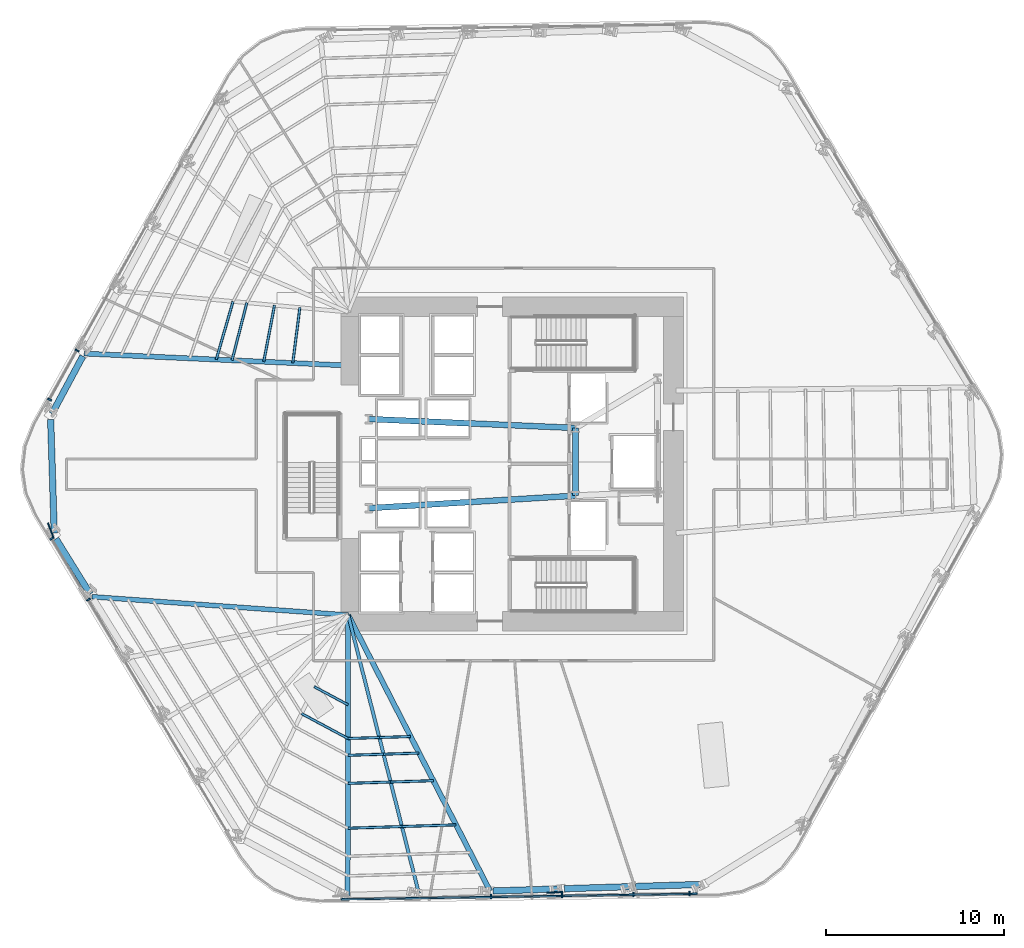
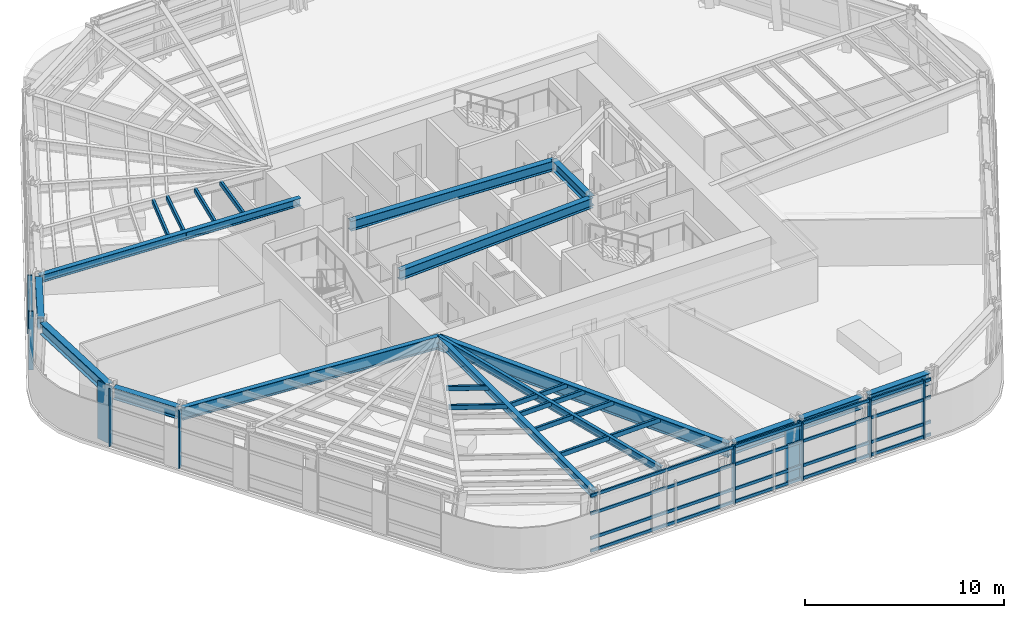
# One storey, part 3 of 15: 28 members, 14 beams, 3 elements without a shape of their own.
"""IFC4 building model written with IfcOpenShell, lengths in metres."""

import ifcopenshell
import ifcopenshell.guid

model = None  # the IFC model being written
_history = None  # IfcOwnerHistory: only IFC2X3 demands one
_inside = {}  # id of a spatial element -> (the spatial element, [elements in it])
_under = {}  # id of a project, library or spatial element -> (it, [spatial elements below it])
_declared = {}  # id of a project -> (the project, [libraries it declares])
_typed = {}  # id of a type object -> (the type object, [elements of that type])
_made_of = {}  # id of a material, layer set ... -> (it, [elements and type objects made of it])


def new_model(schema):
    """Start an empty IFC model of exactly this schema.

    Asked for "IFC4X3", IfcOpenShell would pick the latest addendum, in which some entities
    have other attributes; the version numbers below select the first issue.
    IFC2X3 requires an IfcOwnerHistory on every rooted entity: one is made here for all.
    """
    global model, _history
    if schema == "IFC4X3":
        model = ifcopenshell.file(schema_version=(4, 3, 0, 0))
    else:
        model = ifcopenshell.file(schema=schema)
    _inside.clear()
    _under.clear()
    _declared.clear()
    _typed.clear()
    _made_of.clear()
    _history = None
    if model.schema == "IFC2X3":
        org = make("IfcOrganization", Name="unknown")
        user = make(
            "IfcPersonAndOrganization",
            ThePerson=make("IfcPerson", FamilyName="unknown"),
            TheOrganization=org,
        )
        app = make(
            "IfcApplication",
            ApplicationDeveloper=org,
            Version="unknown",
            ApplicationFullName="unknown",
            ApplicationIdentifier="unknown",
        )
        _history = make(
            "IfcOwnerHistory",
            OwningUser=user,
            OwningApplication=app,
            ChangeAction="ADDED",
            CreationDate=0,
        )
    return model


def make(cls, **values):
    """One entity of the class cls with the attributes given. An attribute that is None is left unset."""
    return model.create_entity(
        cls, **{name: value for name, value in values.items() if value is not None}
    )


def rooted(cls, **values):
    """An entity with a GlobalId (a new one), such as an element, a storey or a relation."""
    return make(cls, GlobalId=ifcopenshell.guid.new(), OwnerHistory=_history, **values)


def si_unit(unit_type, name, prefix=None):
    """IfcSIUnit, for example si_unit("LENGTHUNIT", "METRE", prefix="MILLI")."""
    return make("IfcSIUnit", UnitType=unit_type, Prefix=prefix, Name=name)


def assignment(units):
    """IfcUnitAssignment: the units of a project."""
    return None if units is None else make("IfcUnitAssignment", Units=units)


def point(xyz):
    """IfcCartesianPoint."""
    return None if xyz is None else make("IfcCartesianPoint", Coordinates=xyz)


def direction(xyz):
    """IfcDirection."""
    return None if xyz is None else make("IfcDirection", DirectionRatios=xyz)


def frame(location, z_axis=None, x_axis=None):
    """IfcAxis2Placement3D, a coordinate frame: its origin and axes. An axis left out is left unset."""
    return make(
        "IfcAxis2Placement3D",
        Location=point(location),
        Axis=direction(z_axis),
        RefDirection=direction(x_axis),
    )


def frame_2d(location, x_axis=None):
    """IfcAxis2Placement2D, a coordinate frame in the plane: its origin and x axis."""
    return make(
        "IfcAxis2Placement2D", Location=point(location), RefDirection=direction(x_axis)
    )


def origin():
    """The frame at (0, 0, 0) with its axes left unset."""
    return frame((0.0, 0.0, 0.0))


def origin_2d():
    """The frame at (0, 0) in the plane with its x axis left unset."""
    return frame_2d((0.0, 0.0))


def place(relative_to, where):
    """IfcLocalPlacement: puts the frame where relative to a parent placement (None: the world)."""
    return make(
        "IfcLocalPlacement", PlacementRelTo=relative_to, RelativePlacement=where
    )


def context(
    kind, dimensions, precision=None, world=None, true_north=None, identifier=None
):
    """IfcGeometricRepresentationContext, for example the 3D "Model" context."""
    return make(
        "IfcGeometricRepresentationContext",
        ContextIdentifier=identifier,
        ContextType=kind,
        CoordinateSpaceDimension=dimensions,
        Precision=precision,
        WorldCoordinateSystem=world,
        TrueNorth=true_north,
    )


def subcontext(parent, identifier, kind, view, scale=None):
    """IfcGeometricRepresentationSubContext, for example "Body" below "Model"."""
    return make(
        "IfcGeometricRepresentationSubContext",
        ContextIdentifier=identifier,
        ContextType=kind,
        ParentContext=parent,
        TargetScale=scale,
        TargetView=view,
    )


def project(units=None, contexts=None):
    """IfcProject with its units and contexts."""
    return rooted(
        "IfcProject",
        Name="project",
        RepresentationContexts=contexts,
        UnitsInContext=assignment(units),
    )


def spatial(cls, under=None, at=None, **own):
    """A site, building, storey or space (cls), placed at a placement, below another one or the project."""
    s = rooted(cls, ObjectPlacement=at, **own)
    if under is not None:
        _under.setdefault(under.id(), (under, []))[1].append(s)
    return s


def profile(cls, at=None, kind="AREA", **sizes):
    """A parametric profile (cls). Its sizes go by their IFC names, for example OverallWidth=200.0."""
    return make(cls, ProfileType=kind, Position=at, **sizes)


def rectangle(**sizes):
    """IfcRectangleProfileDef."""
    return profile("IfcRectangleProfileDef", **sizes)


def hollow_rectangle(**sizes):
    """IfcRectangleHollowProfileDef."""
    return profile("IfcRectangleHollowProfileDef", **sizes)


def i_section(**sizes):
    """IfcIShapeProfileDef."""
    return profile("IfcIShapeProfileDef", **sizes)


def extrude(swept, where, along, depth):
    """IfcExtrudedAreaSolid: the profile swept, set in the frame where, extruded along a direction by depth."""
    return make(
        "IfcExtrudedAreaSolid",
        SweptArea=swept,
        Position=where,
        ExtrudedDirection=direction(along),
        Depth=depth,
    )


def shape(context_of_items, identifier, shape_type, items):
    """IfcShapeRepresentation: the items that make up one representation, for example the "Body"."""
    return make(
        "IfcShapeRepresentation",
        ContextOfItems=context_of_items,
        RepresentationIdentifier=identifier,
        RepresentationType=shape_type,
        Items=items,
    )


def material(Name=None, Category=None):
    """IfcMaterial."""
    return make("IfcMaterial", Name=Name, Category=Category)


def layer(
    of_material, thickness, ventilated=None, Name=None, Category=None, Priority=None
):
    """IfcMaterialLayer: one layer of a wall or slab, of a material (None: an air gap)."""
    return make(
        "IfcMaterialLayer",
        Material=of_material,
        LayerThickness=thickness,
        IsVentilated=ventilated,
        Name=Name,
        Category=Category,
        Priority=Priority,
    )


def layer_set(layers, Name=None):
    """IfcMaterialLayerSet."""
    return make("IfcMaterialLayerSet", MaterialLayers=layers, LayerSetName=Name)


def material_profile(
    of_material, cross_section, Name=None, Category=None, Priority=None
):
    """IfcMaterialProfile: a cross section and its material."""
    return make(
        "IfcMaterialProfile",
        Name=Name,
        Material=of_material,
        Profile=cross_section,
        Priority=Priority,
        Category=Category,
    )


def profile_set(profiles, Name=None, composite=None):
    """IfcMaterialProfileSet."""
    return make(
        "IfcMaterialProfileSet",
        Name=Name,
        MaterialProfiles=profiles,
        CompositeProfile=composite,
    )


def made_of(thing, what):
    """Note that an element or type object is made of a material, layer set ...; save() writes the relation."""
    if what is not None:
        _made_of.setdefault(what.id(), (what, []))[1].append(thing)
    return thing


def type_object(cls, material=None, **own):
    """A type object (cls), such as IfcWallType, which elements share."""
    return made_of(rooted(cls, **own), material)


def element(
    cls,
    number,
    at=None,
    inside=None,
    cuts=None,
    type_object=None,
    material=None,
    context=None,
    identifier="Body",
    shape_type=None,
    held_by="IfcProductDefinitionShape",
    body=None,
    shapes=None,
    **own,
):
    """One element of the class cls, such as IfcWall. Its Tag is "e" and its number.

    at: its placement. inside: the storey or other place that contains it. cuts: it is an
    opening in that element (IfcRelVoidsElement). A single representation is given by context,
    identifier, shape_type and body (its items); several are given by shapes. held_by: the class
    of the entity that holds the representations. save() writes the other relations.
    """
    e = rooted(cls, Tag="e%d" % number, ObjectPlacement=at, **own)
    if body is not None:
        shapes = [shape(context, identifier, shape_type, body)]
    if shapes is not None:
        e.Representation = make(held_by, Representations=shapes)
    if inside is not None:
        _inside.setdefault(inside.id(), (inside, []))[1].append(e)
    if cuts is not None:
        rooted(
            "IfcRelVoidsElement", RelatingBuildingElement=cuts, RelatedOpeningElement=e
        )
    if type_object is not None:
        _typed.setdefault(type_object.id(), (type_object, []))[1].append(e)
    return made_of(e, material)


def aggregate(whole, parts):
    """IfcRelAggregates: a whole, such as a stair, and the parts it consists of."""
    return rooted("IfcRelAggregates", RelatingObject=whole, RelatedObjects=parts)


def save(model, path):
    """Write the relations noted so far, then the file.

    IfcRelAggregates (storeys below a building ...), IfcRelContainedInSpatialStructure (elements
    in a storey), IfcRelDefinesByType, IfcRelAssociatesMaterial and IfcRelDeclares: one each for
    every whole, place, type object, material and project.
    """
    for whole, parts in _under.values():
        aggregate(whole, parts)
    for where, things in _inside.values():
        rooted(
            "IfcRelContainedInSpatialStructure",
            RelatedElements=things,
            RelatingStructure=where,
        )
    for kind, things in _typed.values():
        rooted("IfcRelDefinesByType", RelatedObjects=things, RelatingType=kind)
    for what, things in _made_of.values():
        rooted("IfcRelAssociatesMaterial", RelatedObjects=things, RelatingMaterial=what)
    for by, libraries in _declared.values():
        rooted("IfcRelDeclares", RelatingContext=by, RelatedDefinitions=libraries)
    model.write(path)


model = new_model("IFC4")

# Units and contexts
model_context = context("Model", 3, precision=1e-05, world=origin(), true_north=direction((0.0, 1.0)))
body_context = subcontext(model_context, "Body", "Model", "MODEL_VIEW")
ifc_project = project(units=[si_unit("LENGTHUNIT", "METRE"), si_unit("AREAUNIT", "SQUARE_METRE"), si_unit("VOLUMEUNIT", "CUBIC_METRE"), si_unit("PLANEANGLEUNIT", "RADIAN"), si_unit("MASSUNIT", "GRAM", prefix="KILO")], contexts=[model_context])

# Site, building, storey
site_placement = place(None, origin())
site = spatial("IfcSite", under=ifc_project, at=site_placement, CompositionType="ELEMENT")
building_placement = place(site_placement, origin())
building = spatial("IfcBuilding", under=site, at=building_placement, Name="Valkerne Bourse Tower", CompositionType="ELEMENT")
storey_placement = place(building_placement, frame((0.0, 0.0, 27.800048828125)))
storey = spatial("IfcBuildingStorey", under=building, at=storey_placement, Name="L06", CompositionType="ELEMENT", Elevation=27.800048828125)

# Beams
ifc_material_1 = material(Name="Steel ASTM A992", Category="steel")
ifc_material_profile_1 = material_profile(ifc_material_1, i_section(OverallWidth=0.1904296875, OverallDepth=0.457275390625, WebThickness=0.009033203125, FlangeThickness=0.014404296875, FilletRadius=0.01513671875, at=origin_2d()), Name="W18X50")
ifc_profile_set_1 = profile_set([ifc_material_profile_1], Name="Steel ASTM A992")
beam_type_1 = type_object("IfcBeamType", Name="BM-W18X50", PredefinedType="JOIST", material=ifc_profile_set_1)
beam_1_placement = place(storey_placement, frame((41.563720703125, 2.79150390625, 3.351318359375), z_axis=(-0.246129657559, 0.969236912045, 0.0), x_axis=(-0.969236912045, -0.246129657559, 0.0)))
element("IfcBeam", 1, at=beam_1_placement, inside=storey, type_object=beam_type_1, Name="L06 Radial Composite Floor Beam 25", PredefinedType="JOIST", context=body_context, shape_type="SweptSolid", body=[
    extrude(i_section(OverallWidth=0.1904296875, OverallDepth=0.457275390625, WebThickness=0.009033203125, FlangeThickness=0.014404296875, FilletRadius=0.01513671875, at=origin_2d()), origin(), (0.0, 0.0, 1.0), 16.103759765625),
])
ifc_material_profile_2 = material_profile(ifc_material_1, i_section(OverallWidth=0.279296875, OverallDepth=0.46240234375, WebThickness=0.0107421875, FlangeThickness=0.017333984375, FilletRadius=0.017822265625, at=origin_2d()), Name="W18X76")
ifc_profile_set_2 = profile_set([ifc_material_profile_2], Name="Steel ASTM A992")
beam_type_2 = type_object("IfcBeamType", Name="BM-W18X76", PredefinedType="BEAM", material=ifc_profile_set_2)
beam_2_placement = place(storey_placement, frame((22.787841796875, 33.073974609375, 3.3486328125), z_axis=(0.998966128419, -0.045460689301, 0.0), x_axis=(0.045460689301, 0.998966128419, 0.0)))
element("IfcBeam", 2, at=beam_2_placement, inside=storey, type_object=beam_type_2, Name="L06 Radial Composite Floor Beam 16", PredefinedType="BEAM", context=body_context, shape_type="SweptSolid", body=[
    extrude(i_section(OverallWidth=0.279296875, OverallDepth=0.46240234375, WebThickness=0.0107421875, FlangeThickness=0.017333984375, FilletRadius=0.017822265625, at=origin_2d()), origin(), (0.0, 0.0, 1.0), 14.82763671875),
])
beam_3_placement = place(storey_placement, frame((37.56982421875, 2.666015625, 3.3486328125), z_axis=(0.001924087926, 0.999998148941, 0.0), x_axis=(-0.999998148941, 0.001924087926, 0.0)))
element("IfcBeam", 3, at=beam_3_placement, inside=storey, type_object=beam_type_2, Name="L06 Radial Composite Floor Beam 24", PredefinedType="BEAM", context=body_context, shape_type="SweptSolid", body=[
    extrude(i_section(OverallWidth=0.279296875, OverallDepth=0.46240234375, WebThickness=0.0107421875, FlangeThickness=0.017333984375, FilletRadius=0.017822265625, at=origin_2d()), origin(), (0.0, 0.0, 1.0), 15.73388671875),
])
ifc_material_profile_3 = material_profile(ifc_material_1, i_section(OverallWidth=0.3251953125, OverallDepth=0.612060546875, WebThickness=0.0126953125, FlangeThickness=0.01904296875, FilletRadius=0.020263671875, at=origin_2d()), Name="W24X104")
ifc_profile_set_3 = profile_set([ifc_material_profile_3], Name="Steel ASTM A992")
beam_type_3 = type_object("IfcBeamType", Name="BM-W24X104", PredefinedType="BEAM", material=ifc_profile_set_3)
beam_4_placement = place(storey_placement, frame((50.35009765625, 25.10009765625, 3.27392578125), z_axis=(0.0, 1.0, 0.0), x_axis=(-1.0, 0.0, 0.0)))
element("IfcBeam", 4, at=beam_4_placement, inside=storey, type_object=beam_type_3, Name="L06 Core Frame Girder CG-CE", PredefinedType="BEAM", context=body_context, shape_type="SweptSolid", body=[
    extrude(i_section(OverallWidth=0.3251953125, OverallDepth=0.612060546875, WebThickness=0.0126953125, FlangeThickness=0.01904296875, FilletRadius=0.020263671875, at=origin_2d()), origin(), (0.0, 0.0, 1.0), 3.7998046875),
])
beam_5_placement = place(storey_placement, frame((38.75, 24.39990234375, 3.27392578125), z_axis=(0.998183228389, 0.060251494276, 0.0), x_axis=(-0.060251494276, 0.998183228389, 0.0)))
element("IfcBeam", 5, at=beam_5_placement, inside=storey, type_object=beam_type_3, Name="L06 Core Frame Girder CG-SW", PredefinedType="BEAM", context=body_context, shape_type="SweptSolid", body=[
    extrude(i_section(OverallWidth=0.3251953125, OverallDepth=0.612060546875, WebThickness=0.0126953125, FlangeThickness=0.01904296875, FilletRadius=0.020263671875, at=origin_2d()), origin(), (0.0, 0.0, 1.0), 11.62109375),
])
beam_6_placement = place(storey_placement, frame((38.75, 29.39990234375, 3.27392578125), z_axis=(0.999072354402, -0.043063101019, 0.0), x_axis=(0.043063101019, 0.999072354402, 0.0)))
element("IfcBeam", 6, at=beam_6_placement, inside=storey, type_object=beam_type_3, Name="L06 Core Frame Girder CG-NW", PredefinedType="BEAM", context=body_context, shape_type="SweptSolid", body=[
    extrude(i_section(OverallWidth=0.3251953125, OverallDepth=0.612060546875, WebThickness=0.0126953125, FlangeThickness=0.01904296875, FilletRadius=0.020263671875, at=origin_2d()), origin(), (0.0, 0.0, 1.0), 11.61083984375),
])
ifc_material_profile_4 = material_profile(ifc_material_1, i_section(OverallWidth=0.358154296875, OverallDepth=0.7060546875, WebThickness=0.018310546875, FlangeThickness=0.0302734375, FilletRadius=0.02294921875, at=origin_2d()), Name="W27X178")
ifc_profile_set_4 = profile_set([ifc_material_profile_4], Name="Steel ASTM A992")
beam_type_4 = type_object("IfcBeamType", Name="BM-W27X178", PredefinedType="SPANDREL", material=ifc_profile_set_4)
beam_7_placement = place(storey_placement, frame((22.70751953125, 32.924072265625, 3.226806640625), z_axis=(-0.472514172912, -0.881323071522, 0.0), x_axis=(0.881323071522, -0.472514172912, 0.0)))
element("IfcBeam", 7, at=beam_7_placement, inside=storey, type_object=beam_type_4, Name="L06 Hexagonal Spandrel Ring Beam 16", PredefinedType="SPANDREL", context=body_context, shape_type="SweptSolid", body=[
    extrude(i_section(OverallWidth=0.358154296875, OverallDepth=0.7060546875, WebThickness=0.018310546875, FlangeThickness=0.0302734375, FilletRadius=0.02294921875, at=origin_2d()), origin(), (0.0, 0.0, 1.0), 3.656005859375),
])
beam_8_placement = place(storey_placement, frame((20.90478515625, 29.38232421875, 3.226806640625), z_axis=(0.031448290244, -0.999505380196, 0.0), x_axis=(0.999505380196, 0.031448290244, 0.0)))
element("IfcBeam", 8, at=beam_8_placement, inside=storey, type_object=beam_type_4, Name="L06 Hexagonal Spandrel Ring Beam 17", PredefinedType="SPANDREL", context=body_context, shape_type="SweptSolid", body=[
    extrude(i_section(OverallWidth=0.358154296875, OverallDepth=0.7060546875, WebThickness=0.018310546875, FlangeThickness=0.0302734375, FilletRadius=0.02294921875, at=origin_2d()), origin(), (0.0, 0.0, 1.0), 6.38916015625),
])
for number, where, z_axis, x_axis, name in (
    (9, (21.200439453125, 22.681884765625, 3.226806640625), (0.526952210347, -0.849894915864, 0.0), (0.849894915864, 0.526952210347, 0.0), "L06 Hexagonal Spandrel Ring Beam 18"),
    (10, (45.727783203125, 2.922119140625, 3.226806640625), (0.999505277237, 0.031451562372, 0.0), (-0.031451562372, 0.999505277237, 0.0), "L06 Hexagonal Spandrel Ring Beam 26"),
    (11, (49.7216796875, 3.047607421875, 3.226806640625), (0.999505277237, 0.031451562372, 0.0), (-0.031451562372, 0.999505277237, 0.0), "L06 Hexagonal Spandrel Ring Beam 27"),
    (12, (53.7158203125, 3.173095703125, 3.226806640625), (0.999505277237, 0.031451562372, 0.0), (-0.031451562372, 0.999505277237, 0.0), "L06 Hexagonal Spandrel Ring Beam 28"),
):
    element("IfcBeam", number, at=place(storey_placement, frame(where, z_axis=z_axis, x_axis=x_axis)), inside=storey, type_object=beam_type_4, Name=name, PredefinedType="SPANDREL", context=body_context, shape_type="SweptSolid", body=[
        extrude(i_section(OverallWidth=0.358154296875, OverallDepth=0.7060546875, WebThickness=0.018310546875, FlangeThickness=0.0302734375, FilletRadius=0.02294921875, at=origin_2d()), origin(), (0.0, 0.0, 1.0), 3.656005859375),
    ])
ifc_material_profile_5 = material_profile(ifc_material_1, i_section(OverallWidth=0.26806640625, OverallDepth=0.76953125, WebThickness=0.015625, FlangeThickness=0.025390625, FilletRadius=0.025390625, at=origin_2d()), Name="W30X132")
ifc_profile_set_5 = profile_set([ifc_material_profile_5], Name="Steel ASTM A992")
beam_type_5 = type_object("IfcBeamType", Name="BM-W30X132", PredefinedType="BEAM", material=ifc_profile_set_5)
beam_9_placement = place(storey_placement, frame((23.216552734375, 19.430419921875, 3.195068359375), z_axis=(0.997443293294, -0.071462414343, 0.0), x_axis=(0.071462414343, 0.997443293294, 0.0)))
element("IfcBeam", 13, at=beam_9_placement, inside=storey, type_object=beam_type_5, Name="L06 Radial Composite Floor Beam 19", PredefinedType="BEAM", context=body_context, shape_type="SweptSolid", body=[
    extrude(i_section(OverallWidth=0.26806640625, OverallDepth=0.76953125, WebThickness=0.015625, FlangeThickness=0.025390625, FilletRadius=0.025390625, at=origin_2d()), origin(), (0.0, 0.0, 1.0), 14.42041015625),
])
ifc_material_profile_6 = material_profile(ifc_material_1, i_section(OverallWidth=0.2919921875, OverallDepth=0.8583984375, WebThickness=0.01708984375, FlangeThickness=0.031005859375, FilletRadius=0.025390625, at=origin_2d()), Name="W33X169")
ifc_profile_set_6 = profile_set([ifc_material_profile_6], Name="Steel ASTM A992")
beam_type_6 = type_object("IfcBeamType", Name="BM-W33X169", PredefinedType="BEAM", material=ifc_profile_set_6)
beam_10_placement = place(storey_placement, frame((45.557861328125, 2.9169921875, 3.150634765625), z_axis=(-0.457126495638, 0.889401690456, 0.0), x_axis=(-0.889401690456, -0.457126495638, 0.0)))
element("IfcBeam", 14, at=beam_10_placement, inside=storey, type_object=beam_type_6, Name="L06 Radial Composite Floor Beam 26", PredefinedType="BEAM", context=body_context, shape_type="SweptSolid", body=[
    extrude(i_section(OverallWidth=0.2919921875, OverallDepth=0.8583984375, WebThickness=0.01708984375, FlangeThickness=0.031005859375, FilletRadius=0.025390625, at=origin_2d()), origin(), (0.0, 0.0, 1.0), 17.408203125),
])

# Curtain wall, members
ifc_material_2 = material(Name="Aluminium AA 6063-T6", Category="aluminium")
ifc_layer = layer(ifc_material_2, 0.22509765625)
ifc_layer_set = layer_set([ifc_layer], Name="Aluminium AA 6063-T6")
curtain_wall_type = type_object("IfcCurtainWallType", Name="CW-01", PredefinedType="NOTDEFINED", material=ifc_layer_set)
curtain_wall_1_placement = place(storey_placement, origin())
curtain_wall_1 = element("IfcCurtainWall", 15, at=curtain_wall_1_placement, inside=storey, type_object=curtain_wall_type, Name="L06 Hexagonal Stick Curtain Wall Face 3", PredefinedType="NOTDEFINED")
ifc_material_profile_7 = material_profile(ifc_material_2, rectangle(XDim=0.090087890625, YDim=0.239990234375, at=origin_2d()), Name="CWM-90X240")
ifc_profile_set_7 = profile_set([ifc_material_profile_7], Name="Aluminium AA 6063-T6")
member_type_1 = type_object("IfcMemberType", Name="CW-MUL-240X90", PredefinedType="MULLION", material=ifc_profile_set_7)
member_1_placement = place(storey_placement, frame((22.385009765625, 33.248779296875, 0.0), z_axis=(0.0, 0.0, 1.0), x_axis=(-0.486335451261, -0.873772183608, 0.0)))
member_1 = element("IfcMember", 16, at=member_1_placement, type_object=member_type_1, Name="CW-L06-F3 Jamb Mullion 04A", PredefinedType="MULLION", context=body_context, shape_type="SweptSolid", body=[
    extrude(rectangle(XDim=0.090087890625, YDim=0.239990234375, at=origin_2d()), origin(), (0.0, 0.0, 1.0), 3.579833984375),
])
member_2_placement = place(storey_placement, frame((20.85009765625, 30.490966796875, 0.0), z_axis=(0.0, 0.0, 1.0), x_axis=(-0.486335451261, -0.873772183608, 0.0)))
member_2 = element("IfcMember", 17, at=member_2_placement, type_object=member_type_1, Name="CW-L06-F3 Jamb Mullion 04B", PredefinedType="MULLION", context=body_context, shape_type="SweptSolid", body=[
    extrude(rectangle(XDim=0.090087890625, YDim=0.239990234375, at=origin_2d()), origin(), (0.0, 0.0, 1.0), 3.579833984375),
])
aggregate(curtain_wall_1, [member_1, member_2])

curtain_wall_2_placement = place(storey_placement, origin())
curtain_wall_2 = element("IfcCurtainWall", 18, at=curtain_wall_2_placement, inside=storey, type_object=curtain_wall_type, Name="L06 Hexagonal Stick Curtain Wall Face 4", PredefinedType="NOTDEFINED")
member_3_placement = place(storey_placement, frame((20.972412109375, 22.695556640625, 0.0), z_axis=(0.0, 0.0, 1.0), x_axis=(0.513542271598, -0.858064295541, 0.0)))
member_3 = element("IfcMember", 19, at=member_3_placement, type_object=member_type_1, Name="CW-L06-F4 Jamb Mullion 00A", PredefinedType="MULLION", context=body_context, shape_type="SweptSolid", body=[
    extrude(rectangle(XDim=0.090087890625, YDim=0.239990234375, at=origin_2d()), origin(), (0.0, 0.0, 1.0), 3.579833984375),
])
member_4_placement = place(storey_placement, frame((23.024658203125, 19.2666015625, 0.0), z_axis=(0.0, 0.0, 1.0), x_axis=(0.51356069666, -0.85805326807, 0.0)))
member_4 = element("IfcMember", 20, at=member_4_placement, type_object=member_type_1, Name="CW-L06-F4 Jamb Mullion 01A", PredefinedType="MULLION", context=body_context, shape_type="SweptSolid", body=[
    extrude(rectangle(XDim=0.090087890625, YDim=0.239990234375, at=origin_2d()), origin(), (0.0, 0.0, 1.0), 3.579833984375),
])
aggregate(curtain_wall_2, [member_3, member_4])

curtain_wall_3_placement = place(storey_placement, origin())
curtain_wall_3 = element("IfcCurtainWall", 21, at=curtain_wall_3_placement, inside=storey, type_object=curtain_wall_type, Name="L06 Hexagonal Stick Curtain Wall Face 5", PredefinedType="NOTDEFINED")
member_5_placement = place(storey_placement, frame((45.60498046875, 2.60595703125, 0.0), z_axis=(0.0, 0.0, 1.0), x_axis=(0.999876893038, 0.015690722358, 0.0)))
member_5 = element("IfcMember", 22, at=member_5_placement, type_object=member_type_1, Name="CW-L06-F5 Jamb Mullion 02A", PredefinedType="MULLION", context=body_context, shape_type="SweptSolid", body=[
    extrude(rectangle(XDim=0.090087890625, YDim=0.239990234375, at=origin_2d()), origin(), (0.0, 0.0, 1.0), 3.579833984375),
])
member_6_placement = place(storey_placement, frame((49.6005859375, 2.668701171875, 0.0), z_axis=(0.0, 0.0, 1.0), x_axis=(0.999876500112, 0.015715741255, 0.0)))
member_6 = element("IfcMember", 23, at=member_6_placement, type_object=member_type_1, Name="CW-L06-F5 Jamb Mullion 03A", PredefinedType="MULLION", context=body_context, shape_type="SweptSolid", body=[
    extrude(rectangle(XDim=0.090087890625, YDim=0.239990234375, at=origin_2d()), origin(), (0.0, 0.0, 1.0), 3.579833984375),
])
member_7_placement = place(storey_placement, frame((53.595947265625, 2.7314453125, 0.0), z_axis=(0.0, 0.0, 1.0), x_axis=(0.999876500112, 0.015715741255, 0.0)))
member_7 = element("IfcMember", 24, at=member_7_placement, type_object=member_type_1, Name="CW-L06-F5 Jamb Mullion 04A", PredefinedType="MULLION", context=body_context, shape_type="SweptSolid", body=[
    extrude(rectangle(XDim=0.090087890625, YDim=0.239990234375, at=origin_2d()), origin(), (0.0, 0.0, 1.0), 3.579833984375),
])
member_8_placement = place(storey_placement, frame((56.751708984375, 2.781005859375, 0.0), z_axis=(0.0, 0.0, 1.0), x_axis=(0.999876500112, 0.015715741255, 0.0)))
member_8 = element("IfcMember", 25, at=member_8_placement, type_object=member_type_1, Name="CW-L06-F5 Jamb Mullion 04B", PredefinedType="MULLION", context=body_context, shape_type="SweptSolid", body=[
    extrude(rectangle(XDim=0.090087890625, YDim=0.239990234375, at=origin_2d()), origin(), (0.0, 0.0, 1.0), 3.579833984375),
])
ifc_material_profile_8 = material_profile(ifc_material_2, rectangle(XDim=0.090087890625, YDim=0.179931640625, at=origin_2d()), Name="CWT-90X180")
ifc_profile_set_8 = profile_set([ifc_material_profile_8], Name="Aluminium AA 6063-T6")
member_type_2 = type_object("IfcMemberType", Name="CW-TRN-180X90", PredefinedType="USERDEFINED", material=ifc_profile_set_8)
member_9_placement = place(storey_placement, frame((37.1943359375, 2.453857421875, 0.119873046875), z_axis=(0.999876720157, 0.015701735169, 0.0), x_axis=(-0.015701735169, 0.999876720157, 0.0)))
member_9 = element("IfcMember", 26, at=member_9_placement, type_object=member_type_2, Name="CW-L06-F5 Continuous Face Transom 1", ObjectType="TRANSOM", PredefinedType="USERDEFINED", context=body_context, shape_type="SweptSolid", body=[
    extrude(rectangle(XDim=0.090087890625, YDim=0.179931640625, at=origin_2d()), origin(), (0.0, 0.0, 1.0), 19.97998046875),
])
member_10_placement = place(storey_placement, frame((37.1943359375, 2.453857421875, 0.89990234375), z_axis=(0.999876720157, 0.015701735169, 0.0), x_axis=(-0.015701735169, 0.999876720157, 0.0)))
member_10 = element("IfcMember", 27, at=member_10_placement, type_object=member_type_2, Name="CW-L06-F5 Continuous Face Transom 2", ObjectType="TRANSOM", PredefinedType="USERDEFINED", context=body_context, shape_type="SweptSolid", body=[
    extrude(rectangle(XDim=0.090087890625, YDim=0.179931640625, at=origin_2d()), origin(), (0.0, 0.0, 1.0), 19.97998046875),
])
member_11_placement = place(storey_placement, frame((37.1943359375, 2.453857421875, 2.39990234375), z_axis=(0.999876720157, 0.015701735169, 0.0), x_axis=(-0.015701735169, 0.999876720157, 0.0)))
member_11 = element("IfcMember", 28, at=member_11_placement, type_object=member_type_2, Name="CW-L06-F5 Continuous Face Transom 3", ObjectType="TRANSOM", PredefinedType="USERDEFINED", context=body_context, shape_type="SweptSolid", body=[
    extrude(rectangle(XDim=0.090087890625, YDim=0.179931640625, at=origin_2d()), origin(), (0.0, 0.0, 1.0), 19.97998046875),
])
member_12_placement = place(storey_placement, frame((37.1943359375, 2.453857421875, 3.5), z_axis=(0.999876720157, 0.015701735169, 0.0), x_axis=(-0.015701735169, 0.999876720157, 0.0)))
member_12 = element("IfcMember", 29, at=member_12_placement, type_object=member_type_2, Name="CW-L06-F5 Continuous Face Transom 4", ObjectType="TRANSOM", PredefinedType="USERDEFINED", context=body_context, shape_type="SweptSolid", body=[
    extrude(rectangle(XDim=0.090087890625, YDim=0.179931640625, at=origin_2d()), origin(), (0.0, 0.0, 1.0), 19.97998046875),
])
aggregate(curtain_wall_3, [member_9, member_10, member_11, member_12, member_5, member_6, member_7, member_8])

# Members
ifc_material_3 = material(Name="Bronze Anodised Aluminium AA 6063-T6", Category="aluminium")
ifc_material_profile_9 = material_profile(ifc_material_3, rectangle(XDim=0.070068359375, YDim=0.89990234375, at=origin_2d()), Name="FIN-70X900")
ifc_profile_set_9 = profile_set([ifc_material_profile_9], Name="Bronze Anodised Aluminium AA 6063-T6")
member_type_3 = type_object("IfcMemberType", Name="FIN-SOLAR-900", PredefinedType="USERDEFINED", material=ifc_profile_set_9)
for number, where, z_axis, x_axis, name in (
    (30, (20.9111328125, 23.148193359375, 0.00390625), (0.0, 0.0, 1.0), (-0.938735261445, -0.344639099524, 0.0), "L06 Bronze Anodised Solar Fin F4-00"),
    (31, (49.177734375, 2.842041015625, 0.00390625), (0.0, 0.0, 1.0), (0.057696561543, -0.998334165891, 0.0), "L06 Bronze Anodised Solar Fin F5-03"),
):
    element("IfcMember", number, at=place(storey_placement, frame(where, z_axis=z_axis, x_axis=x_axis)), inside=storey, type_object=member_type_3, Name=name, ObjectType="SOLAR_FIN", PredefinedType="USERDEFINED", context=body_context, shape_type="SweptSolid", body=[
        extrude(rectangle(XDim=0.070068359375, YDim=0.89990234375, at=origin_2d()), origin(), (0.0, 0.0, 1.0), 3.572021484375),
    ])
ifc_material_4 = material(Name="Steel ASTM A500 Grade C", Category="steel")
ifc_material_profile_10 = material_profile(ifc_material_4, hollow_rectangle(XDim=0.14990234375, YDim=0.300048828125, WallThickness=0.012451171875, OuterFilletRadius=0.02490234375, at=origin_2d()), Name="HSS300X150X12.5")
ifc_profile_set_10 = profile_set([ifc_material_profile_10], Name="Steel ASTM A500 Grade C")
member_type_4 = type_object("IfcMemberType", Name="MBR-HSS300X150X12.5", PredefinedType="PURLIN", material=ifc_profile_set_10)
member_13_placement = place(storey_placement, frame((33.46435546875, 35.78271484375, 3.419921875), z_axis=(-0.187400886795, -0.982283516928, 0.0), x_axis=(0.982283516928, -0.187400886795, 0.0)))
element("IfcMember", 32, at=member_13_placement, inside=storey, type_object=member_type_4, Name="L06 Secondary Composite Floor Purlin I-15", PredefinedType="PURLIN", context=body_context, shape_type="SweptSolid", body=[
    extrude(hollow_rectangle(XDim=0.14990234375, YDim=0.300048828125, WallThickness=0.012451171875, OuterFilletRadius=0.02490234375, at=origin_2d()), origin(), (0.0, 0.0, 1.0), 3.224365234375),
])
member_14_placement = place(storey_placement, frame((35.692626953125, 14.382568359375, 3.419921875), z_axis=(0.881296181888, -0.472564323441, 0.0), x_axis=(0.472564323441, 0.881296181888, 0.0)))
element("IfcMember", 33, at=member_14_placement, inside=storey, type_object=member_type_4, Name="L06 Secondary Composite Floor Purlin I-23", PredefinedType="PURLIN", context=body_context, shape_type="SweptSolid", body=[
    extrude(hollow_rectangle(XDim=0.14990234375, YDim=0.300048828125, WallThickness=0.012451171875, OuterFilletRadius=0.02490234375, at=origin_2d()), origin(), (0.0, 0.0, 1.0), 2.1533203125),
])
member_15_placement = place(storey_placement, frame((31.91357421875, 35.926025390625, 3.419921875), z_axis=(-0.24914502824, -0.968466186763, 0.0), x_axis=(0.968466186763, -0.24914502824, 0.0)))
element("IfcMember", 34, at=member_15_placement, inside=storey, type_object=member_type_4, Name="L06 Secondary Composite Floor Purlin K-15", PredefinedType="PURLIN", context=body_context, shape_type="SweptSolid", body=[
    extrude(hollow_rectangle(XDim=0.14990234375, YDim=0.300048828125, WallThickness=0.012451171875, OuterFilletRadius=0.02490234375, at=origin_2d()), origin(), (0.0, 0.0, 1.0), 3.334716796875),
])
member_16_placement = place(storey_placement, frame((34.977294921875, 12.876220703125, 3.419921875), z_axis=(0.881298483629, -0.472560030846, 0.0), x_axis=(0.472560030846, 0.881298483629, 0.0)))
element("IfcMember", 35, at=member_16_placement, inside=storey, type_object=member_type_4, Name="L06 Secondary Composite Floor Purlin K-23", PredefinedType="PURLIN", context=body_context, shape_type="SweptSolid", body=[
    extrude(hollow_rectangle(XDim=0.14990234375, YDim=0.300048828125, WallThickness=0.012451171875, OuterFilletRadius=0.02490234375, at=origin_2d()), origin(), (0.0, 0.0, 1.0), 2.9609375),
])
member_17_placement = place(storey_placement, frame((37.586669921875, 11.47705078125, 3.419921875), z_axis=(0.999507459163, 0.031382145842, 0.0), x_axis=(-0.031382145842, 0.999507459163, 0.0)))
element("IfcMember", 36, at=member_17_placement, inside=storey, type_object=member_type_4, Name="L06 Secondary Composite Floor Purlin K-24", PredefinedType="PURLIN", context=body_context, shape_type="SweptSolid", body=[
    extrude(hollow_rectangle(XDim=0.14990234375, YDim=0.300048828125, WallThickness=0.012451171875, OuterFilletRadius=0.02490234375, at=origin_2d()), origin(), (0.0, 0.0, 1.0), 1.75830078125),
])
member_18_placement = place(storey_placement, frame((39.343994140625, 11.5322265625, 3.419921875), z_axis=(0.999507595888, 0.031377790897, 0.0), x_axis=(-0.031377790897, 0.999507595888, 0.0)))
element("IfcMember", 37, at=member_18_placement, inside=storey, type_object=member_type_4, Name="L06 Secondary Composite Floor Purlin K-25", PredefinedType="PURLIN", context=body_context, shape_type="SweptSolid", body=[
    extrude(hollow_rectangle(XDim=0.14990234375, YDim=0.300048828125, WallThickness=0.012451171875, OuterFilletRadius=0.02490234375, at=origin_2d()), origin(), (0.0, 0.0, 1.0), 1.758544921875),
])
member_19_placement = place(storey_placement, frame((31.13818359375, 35.997802734375, 3.419921875), z_axis=(-0.278110464351, -0.960549097974, 0.0), x_axis=(0.960549097974, -0.278110464351, 0.0)))
element("IfcMember", 38, at=member_19_placement, inside=storey, type_object=member_type_4, Name="L06 Secondary Composite Floor Purlin M-15", PredefinedType="PURLIN", context=body_context, shape_type="SweptSolid", body=[
    extrude(hollow_rectangle(XDim=0.14990234375, YDim=0.300048828125, WallThickness=0.012451171875, OuterFilletRadius=0.02490234375, at=origin_2d()), origin(), (0.0, 0.0, 1.0), 3.394775390625),
])
member_20_placement = place(storey_placement, frame((37.5849609375, 10.532958984375, 3.419921875), z_axis=(0.999506696288, 0.031406433665, 0.0), x_axis=(-0.031406433665, 0.999506696288, 0.0)))
element("IfcMember", 39, at=member_20_placement, inside=storey, type_object=member_type_4, Name="L06 Secondary Composite Floor Purlin M-24", PredefinedType="PURLIN", context=body_context, shape_type="SweptSolid", body=[
    extrude(hollow_rectangle(XDim=0.14990234375, YDim=0.300048828125, WallThickness=0.012451171875, OuterFilletRadius=0.02490234375, at=origin_2d()), origin(), (0.0, 0.0, 1.0), 1.997802734375),
])
member_21_placement = place(storey_placement, frame((39.581787109375, 10.595703125, 3.419921875), z_axis=(0.999506816804, 0.031402598034, 0.0), x_axis=(-0.031402598034, 0.999506816804, 0.0)))
element("IfcMember", 40, at=member_21_placement, inside=storey, type_object=member_type_4, Name="L06 Secondary Composite Floor Purlin M-25", PredefinedType="PURLIN", context=body_context, shape_type="SweptSolid", body=[
    extrude(hollow_rectangle(XDim=0.14990234375, YDim=0.300048828125, WallThickness=0.012451171875, OuterFilletRadius=0.02490234375, at=origin_2d()), origin(), (0.0, 0.0, 1.0), 1.998046875),
])
member_22_placement = place(storey_placement, frame((37.576904296875, 6.442138671875, 3.419921875), z_axis=(0.999505939824, 0.031430498832, 0.0), x_axis=(-0.031430498832, 0.999505939824, 0.0)))
element("IfcMember", 41, at=member_22_placement, inside=storey, type_object=member_type_4, Name="L06 Secondary Composite Floor Purlin O-24", PredefinedType="PURLIN", context=body_context, shape_type="SweptSolid", body=[
    extrude(hollow_rectangle(XDim=0.14990234375, YDim=0.300048828125, WallThickness=0.012451171875, OuterFilletRadius=0.02490234375, at=origin_2d()), origin(), (0.0, 0.0, 1.0), 3.037109375),
])
member_23_placement = place(storey_placement, frame((40.612548828125, 6.53759765625, 3.419921875), z_axis=(0.999508382879, 0.031352712083, 0.0), x_axis=(-0.031352712083, 0.999508382879, 0.0)))
element("IfcMember", 42, at=member_23_placement, inside=storey, type_object=member_type_4, Name="L06 Secondary Composite Floor Purlin O-25", PredefinedType="PURLIN", context=body_context, shape_type="SweptSolid", body=[
    extrude(hollow_rectangle(XDim=0.14990234375, YDim=0.300048828125, WallThickness=0.012451171875, OuterFilletRadius=0.02490234375, at=origin_2d()), origin(), (0.0, 0.0, 1.0), 3.036865234375),
])
for number, where, z_axis, x_axis, name in (
    (43, (37.581787109375, 8.95947265625, 3.419921875), (0.999504897362, 0.03146363216, 0.0), (-0.03146363216, 0.999504897362, 0.0), "L06 Secondary Composite Floor Purlin Z-24"),
    (44, (39.978271484375, 9.034912109375, 3.419921875), (0.999508094365, 0.031361908421, 0.0), (-0.031361908421, 0.999508094365, 0.0), "L06 Secondary Composite Floor Purlin Z-25"),
):
    element("IfcMember", number, at=place(storey_placement, frame(where, z_axis=z_axis, x_axis=x_axis)), inside=storey, type_object=member_type_4, Name=name, PredefinedType="PURLIN", context=body_context, shape_type="SweptSolid", body=[
        extrude(hollow_rectangle(XDim=0.14990234375, YDim=0.300048828125, WallThickness=0.012451171875, OuterFilletRadius=0.02490234375, at=origin_2d()), origin(), (0.0, 0.0, 1.0), 2.397705078125),
    ])
member_24_placement = place(storey_placement, frame((34.885986328125, 35.651123046875, 3.419921875), z_axis=(-0.126478621138, -0.991969333394, 0.0), x_axis=(0.991969333394, -0.126478621138, 0.0)))
element("IfcMember", 45, at=member_24_placement, inside=storey, type_object=member_type_4, Name="L06 Secondary Composite Floor Purlin S-15", PredefinedType="PURLIN", context=body_context, shape_type="SweptSolid", body=[
    extrude(hollow_rectangle(XDim=0.14990234375, YDim=0.300048828125, WallThickness=0.012451171875, OuterFilletRadius=0.02490234375, at=origin_2d()), origin(), (0.0, 0.0, 1.0), 3.134765625),
])

save(model, "model.ifc")
